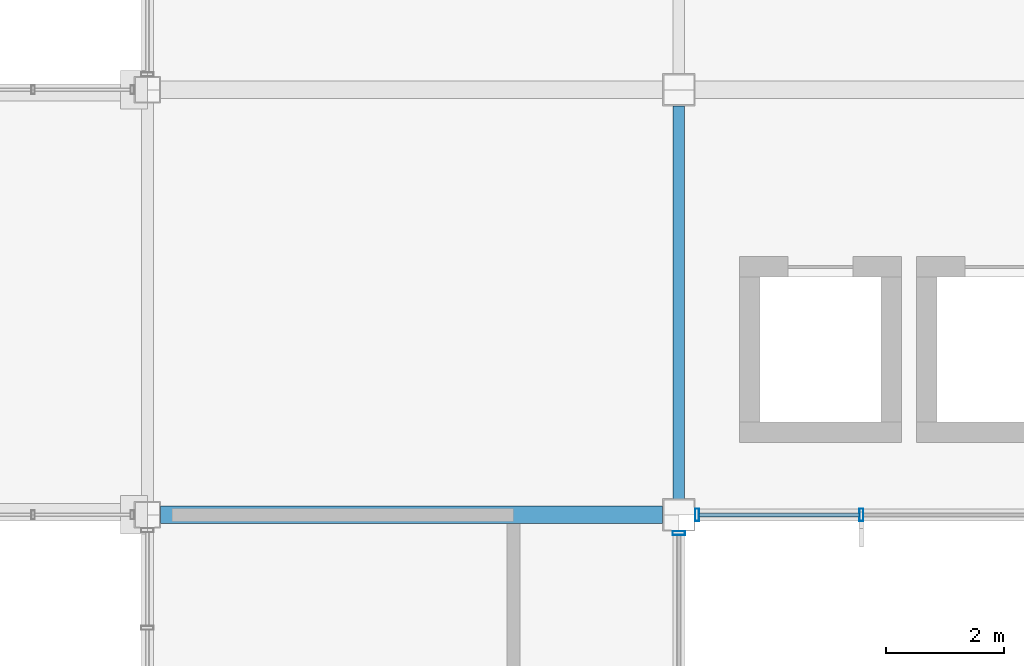
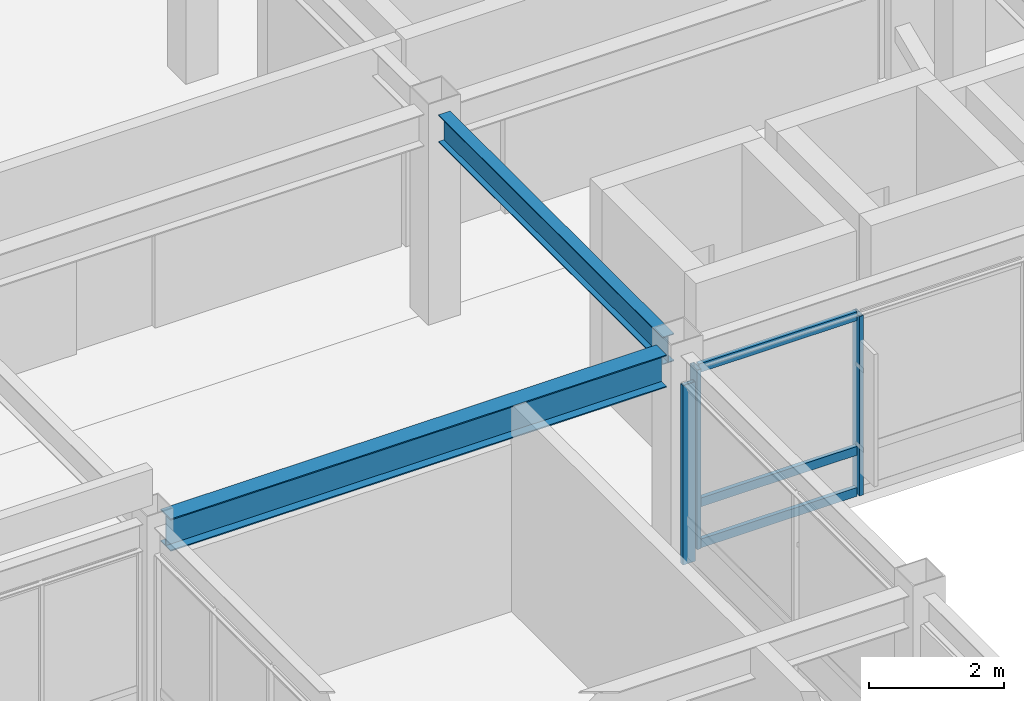
# One storey, part 61 of 122: 6 members, 2 beams, 2 elements without a shape of their own.
"""IFC4 building model written with IfcOpenShell, lengths in metres."""

from ifc_helpers import new_model, si_unit, direction, frame, origin, origin_2d, place, context, subcontext, project, spatial, hollow_rectangle, i_section, extrude, material, material_profile, profile_set, type_object, element, aggregate, save


model = new_model("IFC4")

# Units and contexts
model_context = context("Model", 3, precision=1e-05, world=origin(), true_north=direction((0.0, 1.0)))
body_context = subcontext(model_context, "Body", "Model", "MODEL_VIEW")
ifc_project = project(units=[si_unit("LENGTHUNIT", "METRE"), si_unit("AREAUNIT", "SQUARE_METRE"), si_unit("VOLUMEUNIT", "CUBIC_METRE"), si_unit("PLANEANGLEUNIT", "RADIAN"), si_unit("MASSUNIT", "GRAM", prefix="KILO")], contexts=[model_context])

# Site, building, storey
site_placement = place(None, origin())
site = spatial("IfcSite", under=ifc_project, at=site_placement, CompositionType="ELEMENT")
building_placement = place(site_placement, origin())
building = spatial("IfcBuilding", under=site, at=building_placement, Name="Kazanami Central Library", CompositionType="ELEMENT")
storey_placement = place(building_placement, frame((0.0, 0.0, 4.800048828125)))
storey = spatial("IfcBuildingStorey", under=building, at=storey_placement, Name="L02", CompositionType="ELEMENT", Elevation=4.800048828125)

# Beams
ifc_material_1 = material(Name="Steel SN490B (325 MPa)", Category="steel")
ifc_material_profile_1 = material_profile(ifc_material_1, i_section(OverallWidth=0.300048828125, OverallDepth=0.587890625, WebThickness=0.011962890625, FlangeThickness=0.02001953125, at=origin_2d()), Name="H-588x300x12x20")
ifc_profile_set_1 = profile_set([ifc_material_profile_1], Name="Steel SN490B (325 MPa)")
beam_type_1 = type_object("IfcBeamType", Name="BM-G-X2", PredefinedType="BEAM", material=ifc_profile_set_1)
beam_1_placement = place(storey_placement, frame((45.222900390625, 64.800048828125, 3.4609375), z_axis=(1.0, 0.0, 0.0), x_axis=(0.0, 1.0, 0.0)))
element("IfcBeam", 1, at=beam_1_placement, inside=storey, type_object=beam_type_1, Name="Girder G-X2 L02 K/6-7", PredefinedType="BEAM", context=body_context, shape_type="SweptSolid", body=[
    extrude(i_section(OverallWidth=0.300048828125, OverallDepth=0.587890625, WebThickness=0.011962890625, FlangeThickness=0.02001953125, at=origin_2d()), origin(), (0.0, 0.0, 1.0), 8.504150390625),
])
ifc_material_profile_2 = material_profile(ifc_material_1, i_section(OverallWidth=0.199951171875, OverallDepth=0.5, WebThickness=0.010009765625, FlangeThickness=0.01611328125, at=origin_2d()), Name="H-500x200x10x16")
ifc_profile_set_2 = profile_set([ifc_material_profile_2], Name="Steel SN490B (325 MPa)")
beam_type_2 = type_object("IfcBeamType", Name="BM-G-Y2", PredefinedType="BEAM", material=ifc_profile_set_2)
beam_2_placement = place(storey_placement, frame((54.0, 65.072998046875, 3.5048828125), z_axis=(0.0, 1.0, 0.0), x_axis=(-1.0, 0.0, 0.0)))
element("IfcBeam", 2, at=beam_2_placement, inside=storey, type_object=beam_type_2, Name="Girder G-Y2 L02 7/K-L", PredefinedType="BEAM", context=body_context, shape_type="SweptSolid", body=[
    extrude(i_section(OverallWidth=0.199951171875, OverallDepth=0.5, WebThickness=0.010009765625, FlangeThickness=0.01611328125, at=origin_2d()), origin(), (0.0, 0.0, 1.0), 6.654052734375),
])

# Curtain wall, members
ifc_material_2 = material(Name="Acid-Etched Low-E Laminated Glass", Category="glass")
curtain_wall_type_1 = type_object("IfcCurtainWallType", Name="CW-8450x3255-M275", PredefinedType="USERDEFINED", material=ifc_material_2)
curtain_wall_1_placement = place(storey_placement, origin())
curtain_wall_1 = element("IfcCurtainWall", 3, at=curtain_wall_1_placement, inside=storey, type_object=curtain_wall_type_1, Name="Unitised Curtain Wall CW-13 L02 S-K-06", ObjectType="UNITISED CURTAIN WALL", PredefinedType="USERDEFINED")
ifc_material_3 = material(Name="Anodised Aluminium A6063-T5", Category="aluminium")
ifc_material_profile_3 = material_profile(ifc_material_3, hollow_rectangle(XDim=0.070068359375, YDim=0.2099609375, WallThickness=0.0048828125, at=origin_2d()), Name="ALU-MULL-70x210x5")
ifc_profile_set_3 = profile_set([ifc_material_profile_3], Name="Anodised Aluminium A6063-T5")
member_type_1 = type_object("IfcMemberType", Name="MEM-CW-M1", PredefinedType="MULLION", material=ifc_profile_set_3)
member_1_placement = place(storey_placement, frame((54.31005859375, 64.800048828125, 0.0), z_axis=(0.0, 0.0, 1.0), x_axis=(1.0, 0.0, 0.0)))
member_1 = element("IfcMember", 4, at=member_1_placement, type_object=member_type_1, Name="CW-13 mullion 1", PredefinedType="MULLION", context=body_context, shape_type="SweptSolid", body=[
    extrude(hollow_rectangle(XDim=0.070068359375, YDim=0.2099609375, WallThickness=0.0048828125, at=origin_2d()), origin(), (0.0, 0.0, 1.0), 3.2548828125),
])
member_2_placement = place(storey_placement, frame((57.091552734375, 64.800048828125, 0.0), z_axis=(0.0, 0.0, 1.0), x_axis=(1.0, 0.0, 0.0)))
member_2 = element("IfcMember", 5, at=member_2_placement, type_object=member_type_1, Name="CW-13 mullion 2", PredefinedType="MULLION", context=body_context, shape_type="SweptSolid", body=[
    extrude(hollow_rectangle(XDim=0.070068359375, YDim=0.2099609375, WallThickness=0.0048828125, at=origin_2d()), origin(), (0.0, 0.0, 1.0), 3.2548828125),
])

# Curtain wall, member
curtain_wall_type_2 = type_object("IfcCurtainWallType", Name="CW-6650x3255-M275", PredefinedType="USERDEFINED", material=ifc_material_2)
curtain_wall_2_placement = place(storey_placement, origin())
curtain_wall_2 = element("IfcCurtainWall", 6, at=curtain_wall_2_placement, inside=storey, type_object=curtain_wall_type_2, Name="Unitised Curtain Wall CW-22 L02 E-7-08", ObjectType="UNITISED CURTAIN WALL", PredefinedType="USERDEFINED")
member_3_placement = place(storey_placement, frame((54.0, 64.489990234375, 0.0), z_axis=(0.0, 0.0, 1.0), x_axis=(0.0, -1.0, 0.0)))
member_3 = element("IfcMember", 7, at=member_3_placement, type_object=member_type_1, Name="CW-22 mullion 1", PredefinedType="MULLION", context=body_context, shape_type="SweptSolid", body=[
    extrude(hollow_rectangle(XDim=0.070068359375, YDim=0.2099609375, WallThickness=0.0048828125, at=origin_2d()), origin(), (0.0, 0.0, 1.0), 3.2548828125),
])
aggregate(curtain_wall_2, [member_3])

# Member
ifc_material_profile_4 = material_profile(ifc_material_3, hollow_rectangle(XDim=0.070068359375, YDim=0.159912109375, WallThickness=0.00390625, at=origin_2d()), Name="ALU-TRAN-70x160x4")
ifc_profile_set_4 = profile_set([ifc_material_profile_4], Name="Anodised Aluminium A6063-T5")
member_type_2 = type_object("IfcMemberType", Name="MEM-CW-T1", PredefinedType="USERDEFINED", material=ifc_profile_set_4)
member_4_placement = place(storey_placement, frame((54.344970703125, 64.800048828125, 0.034912109375), z_axis=(1.0, 0.0, 0.0), x_axis=(0.0, 1.0, 0.0)))
member_4 = element("IfcMember", 8, at=member_4_placement, type_object=member_type_2, Name="CW-13 transom 1.1", ObjectType="TRANSOM", PredefinedType="USERDEFINED", context=body_context, shape_type="SweptSolid", body=[
    extrude(hollow_rectangle(XDim=0.070068359375, YDim=0.159912109375, WallThickness=0.00390625, at=origin_2d()), origin(), (0.0, 0.0, 1.0), 2.711669921875),
])

member_5_placement = place(storey_placement, frame((54.344970703125, 64.800048828125, 0.780029296875), z_axis=(1.0, 0.0, 0.0), x_axis=(0.0, 1.0, 0.0)))
member_5 = element("IfcMember", 9, at=member_5_placement, type_object=member_type_2, Name="CW-13 transom 1.2", ObjectType="TRANSOM", PredefinedType="USERDEFINED", context=body_context, shape_type="SweptSolid", body=[
    extrude(hollow_rectangle(XDim=0.070068359375, YDim=0.159912109375, WallThickness=0.00390625, at=origin_2d()), origin(), (0.0, 0.0, 1.0), 2.711669921875),
])

member_6_placement = place(storey_placement, frame((54.344970703125, 64.800048828125, 3.219970703125), z_axis=(1.0, 0.0, 0.0), x_axis=(0.0, 1.0, 0.0)))
member_6 = element("IfcMember", 10, at=member_6_placement, type_object=member_type_2, Name="CW-13 transom 1.3", ObjectType="TRANSOM", PredefinedType="USERDEFINED", context=body_context, shape_type="SweptSolid", body=[
    extrude(hollow_rectangle(XDim=0.070068359375, YDim=0.159912109375, WallThickness=0.00390625, at=origin_2d()), origin(), (0.0, 0.0, 1.0), 2.711669921875),
])

aggregate(curtain_wall_1, [member_1, member_2, member_4, member_5, member_6])

save(model, "model.ifc")
